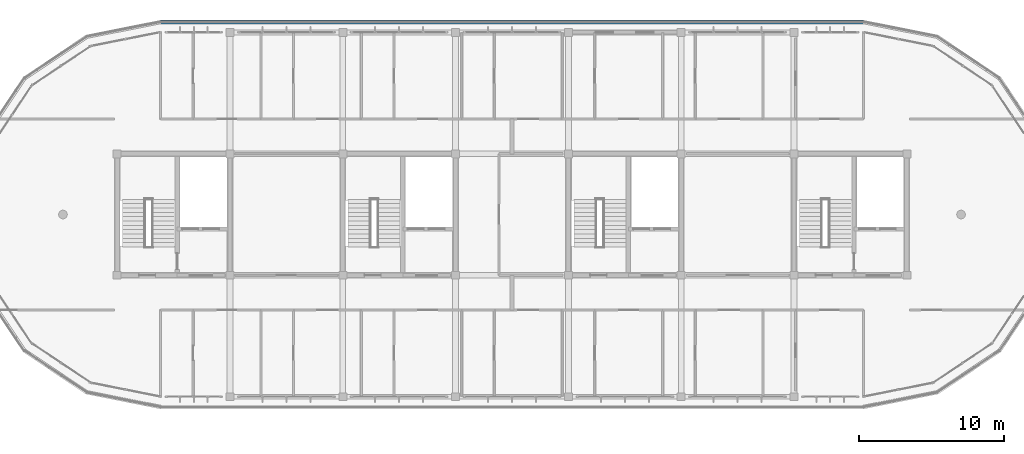
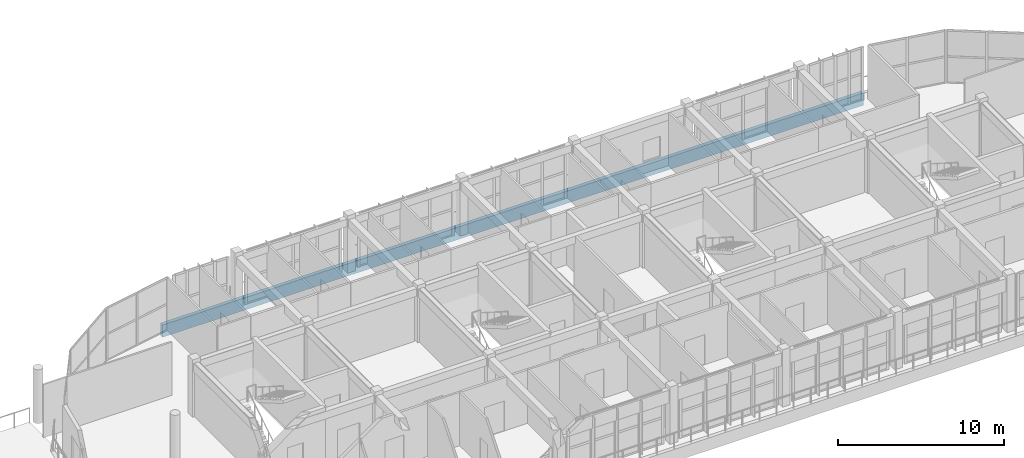
# One storey, part 35 of 44: 1 plate.
"""IFC4 building model written with IfcOpenShell, lengths in metres."""

from ifc_helpers import new_model, si_unit, direction, frame, origin, place, context, subcontext, project, spatial, polyline, outline, extrude, material, layer, layer_set, type_object, element, save


model = new_model("IFC4")

# Units and contexts
model_context = context("Model", 3, precision=1e-05, world=origin(), true_north=direction((0.0, 1.0)))
body_context = subcontext(model_context, "Body", "Model", "MODEL_VIEW")
ifc_project = project(units=[si_unit("LENGTHUNIT", "METRE"), si_unit("AREAUNIT", "SQUARE_METRE"), si_unit("VOLUMEUNIT", "CUBIC_METRE"), si_unit("PLANEANGLEUNIT", "RADIAN"), si_unit("MASSUNIT", "GRAM", prefix="KILO")], contexts=[model_context])

# Site, building, storey
site_placement = place(None, origin())
site = spatial("IfcSite", under=ifc_project, at=site_placement, CompositionType="ELEMENT")
building_placement = place(site_placement, origin())
building = spatial("IfcBuilding", under=site, at=building_placement, Name="Zizhar Promenade General Hospital", CompositionType="ELEMENT")
storey_placement = place(building_placement, frame((0.0, 0.0, 34.800048828125)))
storey = spatial("IfcBuildingStorey", under=building, at=storey_placement, Name="L08", CompositionType="ELEMENT", Elevation=34.800048828125)

# Plate
ifc_material = material(Name="Precast concrete C40/50", Category="concrete")
ifc_layer = layer(ifc_material, 0.260009765625)
ifc_layer_set = layer_set([ifc_layer], Name="Precast concrete C40/50")
plate_type = type_object("IfcPlateType", Name="PL-PC-BAND950", PredefinedType="USERDEFINED", material=ifc_layer_set)
plate_placement = place(storey_placement, frame((0.0, 0.0, -0.900146484375)))
element("IfcPlate", 1, at=plate_placement, inside=storey, type_object=plate_type, Name="Ward Precast Slab Band L08-09", ObjectType="FASCIA_BAND", PredefinedType="USERDEFINED", context=body_context, shape_type="SweptSolid", body=[
    extrude(outline(polyline([(98.39990234375, 26.050048828125), (49.800048828125, 26.050048828125), (49.800048828125, 25.7900390625), (98.39990234375, 25.7900390625), (98.39990234375, 26.050048828125)])), origin(), (0.0, 0.0, 1.0), 0.900146484375),
])

save(model, "model.ifc")
